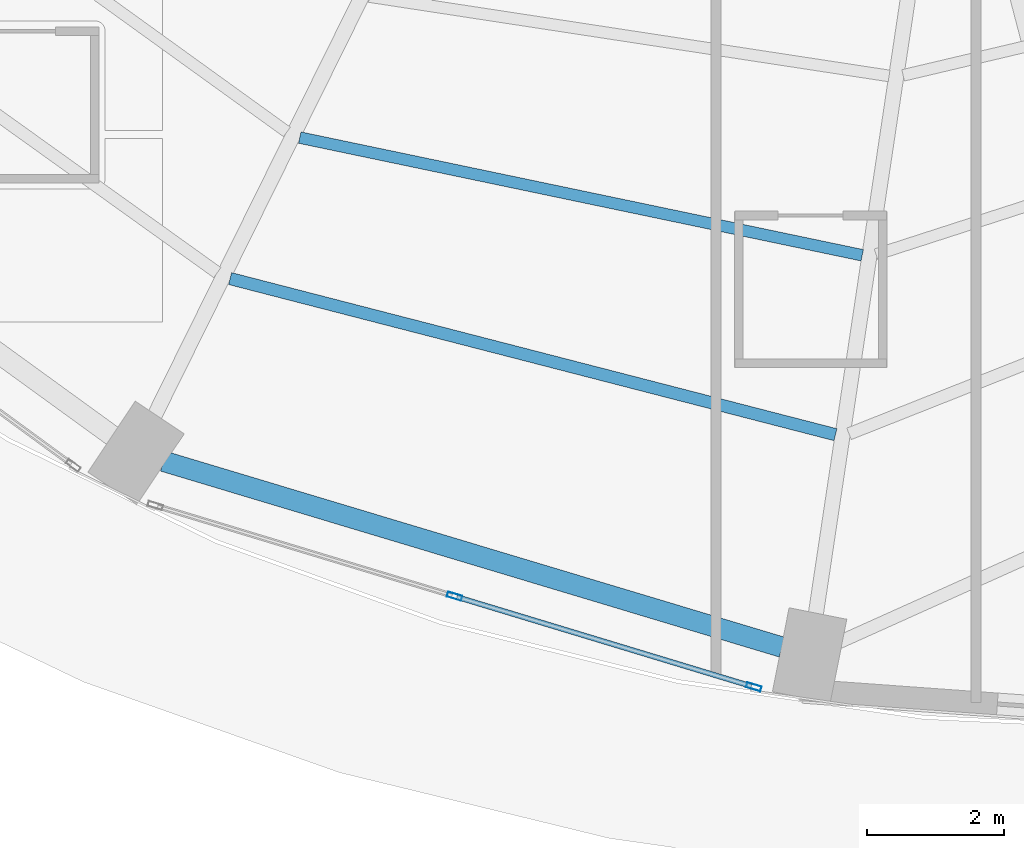
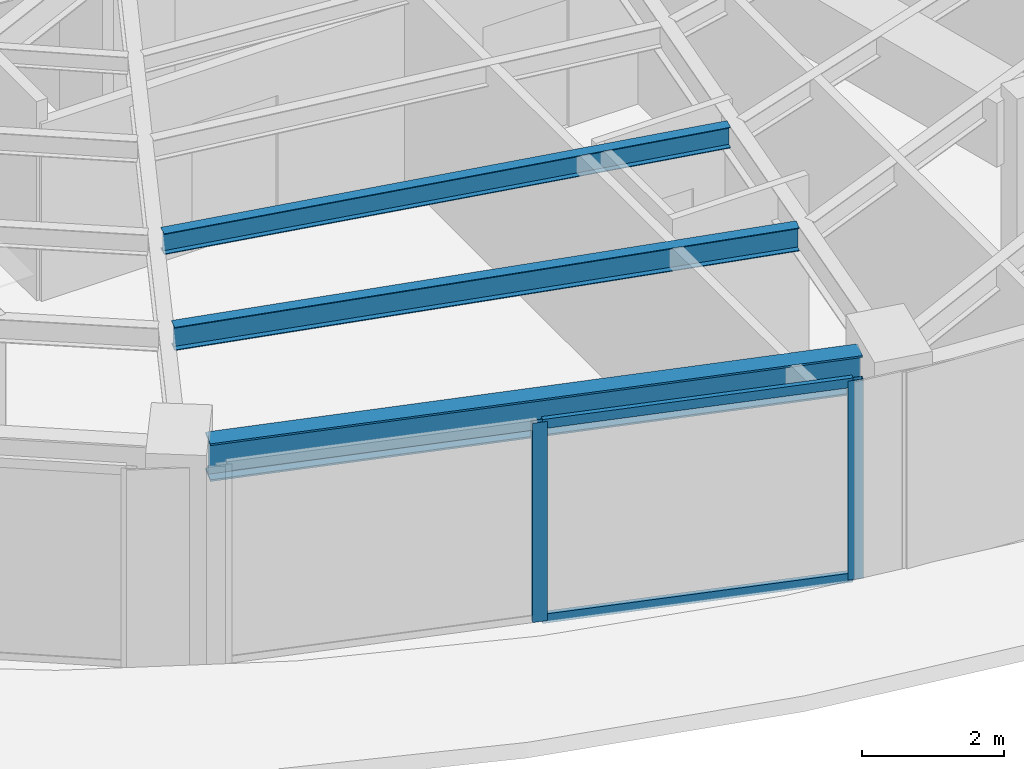
# One storey, part 5 of 25: 4 members, 3 beams, 1 element without a shape of its own.
"""IFC4 building model written with IfcOpenShell, lengths in metres."""

from ifc_helpers import new_model, si_unit, direction, frame, origin, origin_2d, place, context, subcontext, project, spatial, hollow_rectangle, i_section, extrude, material, layer, layer_set, material_profile, profile_set, type_object, element, aggregate, save


model = new_model("IFC4")

# Units and contexts
model_context = context("Model", 3, precision=1e-05, world=origin(), true_north=direction((0.0, 1.0)))
body_context = subcontext(model_context, "Body", "Model", "MODEL_VIEW")
ifc_project = project(units=[si_unit("LENGTHUNIT", "METRE"), si_unit("AREAUNIT", "SQUARE_METRE"), si_unit("VOLUMEUNIT", "CUBIC_METRE"), si_unit("PLANEANGLEUNIT", "RADIAN"), si_unit("MASSUNIT", "GRAM", prefix="KILO")], contexts=[model_context])

# Site, building, storey
site_placement = place(None, origin())
site = spatial("IfcSite", under=ifc_project, at=site_placement, CompositionType="ELEMENT")
building_placement = place(site_placement, origin())
building = spatial("IfcBuilding", under=site, at=building_placement, Name="Lazwardi Medical Tower", CompositionType="ELEMENT")
storey_placement = place(building_placement, frame((0.0, 0.0, 25.199951171875)))
storey = spatial("IfcBuildingStorey", under=building, at=storey_placement, Name="L05", CompositionType="ELEMENT", Elevation=25.199951171875)

# Beams
ifc_material_1 = material(Name="Steel S355", Category="steel")
ifc_material_profile_1 = material_profile(ifc_material_1, i_section(OverallWidth=0.300048828125, OverallDepth=0.64990234375, WebThickness=0.01611328125, FlangeThickness=0.031005859375, at=origin_2d()), Name="HEB 650")
ifc_profile_set_1 = profile_set([ifc_material_profile_1], Name="Steel S355")
beam_type_1 = type_object("IfcBeamType", Name="BM-RB-Z1", PredefinedType="BEAM", material=ifc_profile_set_1)
beam_1_placement = place(storey_placement, frame((21.22119140625, 8.9951171875, 3.10302734375), z_axis=(0.957695289269, -0.287784177662, 0.0), x_axis=(0.287784177662, 0.957695289269, 0.0)))
element("IfcBeam", 1, at=beam_1_placement, inside=storey, type_object=beam_type_1, Name="Ring beam RB-02 B15 L05", PredefinedType="BEAM", context=body_context, shape_type="SweptSolid", body=[
    extrude(i_section(OverallWidth=0.300048828125, OverallDepth=0.64990234375, WebThickness=0.01611328125, FlangeThickness=0.031005859375, at=origin_2d()), origin(), (0.0, 0.0, 1.0), 9.445556640625),
])
ifc_material_profile_2 = material_profile(ifc_material_1, i_section(OverallWidth=0.179931640625, OverallDepth=0.39990234375, WebThickness=0.008544921875, FlangeThickness=0.013427734375, at=origin_2d()), Name="IPE 400")
ifc_profile_set_2 = profile_set([ifc_material_profile_2], Name="Steel S355")
beam_type_2 = type_object("IfcBeamType", Name="BM-SJ-01", PredefinedType="JOIST", material=ifc_profile_set_2)
beam_2_placement = place(storey_placement, frame((22.195068359375, 11.666748046875, 3.22802734375), z_axis=(0.968316918308, -0.249724539682, 0.0), x_axis=(0.249724539682, 0.968316918308, 0.0)))
element("IfcBeam", 2, at=beam_2_placement, inside=storey, type_object=beam_type_2, Name="Secondary joist SJ-01 R1 B15 L05", PredefinedType="JOIST", context=body_context, shape_type="SweptSolid", body=[
    extrude(i_section(OverallWidth=0.179931640625, OverallDepth=0.39990234375, WebThickness=0.008544921875, FlangeThickness=0.013427734375, at=origin_2d()), origin(), (0.0, 0.0, 1.0), 9.140869140625),
])
ifc_material_profile_3 = material_profile(ifc_material_1, i_section(OverallWidth=0.169921875, OverallDepth=0.360107421875, WebThickness=0.008056640625, FlangeThickness=0.0126953125, at=origin_2d()), Name="IPE 360")
ifc_profile_set_3 = profile_set([ifc_material_profile_3], Name="Steel S355")
beam_type_3 = type_object("IfcBeamType", Name="BM-SJ-02", PredefinedType="JOIST", material=ifc_profile_set_3)
beam_3_placement = place(storey_placement, frame((23.213623046875, 13.728271484375, 3.248046875), z_axis=(0.978809182847, -0.204774470026, 0.0), x_axis=(0.204774470026, 0.978809182847, 0.0)))
element("IfcBeam", 3, at=beam_3_placement, inside=storey, type_object=beam_type_3, Name="Secondary joist SJ-02 R2 B15 L05", PredefinedType="JOIST", context=body_context, shape_type="SweptSolid", body=[
    extrude(i_section(OverallWidth=0.169921875, OverallDepth=0.360107421875, WebThickness=0.008056640625, FlangeThickness=0.0126953125, at=origin_2d()), origin(), (0.0, 0.0, 1.0), 8.40283203125),
])

# Curtain wall, members
ifc_material_2 = material(Name="Anodised bronze aluminium and solar control glazing", Category="aluminium")
ifc_layer = layer(ifc_material_2, 0.199951171875)
ifc_layer_set = layer_set([ifc_layer], Name="Anodised bronze aluminium and solar control glazing")
curtain_wall_type = type_object("IfcCurtainWallType", Name="CW-SYS-02", PredefinedType="NOTDEFINED", material=ifc_layer_set)
curtain_wall_placement = place(storey_placement, origin())
curtain_wall = element("IfcCurtainWall", 4, at=curtain_wall_placement, inside=storey, type_object=curtain_wall_type, Name="L05 Unitised bronze curtain wall CW-02", PredefinedType="NOTDEFINED")
ifc_material_3 = material(Name="Anodised bronze aluminium", Category="aluminium")
ifc_material_profile_4 = material_profile(ifc_material_3, hollow_rectangle(XDim=0.074951171875, YDim=0.219970703125, WallThickness=0.00390625, at=origin_2d()), Name="ALU-MULLION 220x75x4")
ifc_profile_set_4 = profile_set([ifc_material_profile_4], Name="Anodised bronze aluminium")
member_type_1 = type_object("IfcMemberType", Name="CW-MUL-01", PredefinedType="MULLION", material=ifc_profile_set_4)
member_1_placement = place(storey_placement, frame((25.476806640625, 7.021484375, 0.0), z_axis=(0.0, 0.0, 1.0), x_axis=(0.2898956909, 0.957058247129, 0.0)))
member_1 = element("IfcMember", 5, at=member_1_placement, type_object=member_type_1, Name="CW-02 mullion 2", PredefinedType="MULLION", context=body_context, shape_type="SweptSolid", body=[
    extrude(hollow_rectangle(XDim=0.074951171875, YDim=0.219970703125, WallThickness=0.00390625, at=origin_2d()), origin(), (0.0, 0.0, 1.0), 3.427978515625),
])
member_2_placement = place(storey_placement, frame((29.85205078125, 5.6962890625, 0.0), z_axis=(0.0, 0.0, 1.0), x_axis=(0.2898956909, 0.957058247129, 0.0)))
member_2 = element("IfcMember", 6, at=member_2_placement, type_object=member_type_1, Name="CW-02 mullion 3", PredefinedType="MULLION", context=body_context, shape_type="SweptSolid", body=[
    extrude(hollow_rectangle(XDim=0.074951171875, YDim=0.219970703125, WallThickness=0.00390625, at=origin_2d()), origin(), (0.0, 0.0, 1.0), 3.427978515625),
])
ifc_material_profile_5 = material_profile(ifc_material_3, hollow_rectangle(XDim=0.074951171875, YDim=0.159912109375, WallThickness=0.00390625, at=origin_2d()), Name="ALU-TRANSOM 160x75x4")
ifc_profile_set_5 = profile_set([ifc_material_profile_5], Name="Anodised bronze aluminium")
member_type_2 = type_object("IfcMemberType", Name="CW-TRN-01", PredefinedType="USERDEFINED", material=ifc_profile_set_5)
member_3_placement = place(storey_placement, frame((25.5126953125, 7.0107421875, 0.03759765625), z_axis=(0.957047233423, -0.28993204893, 0.0), x_axis=(0.28993204893, 0.957047233423, 0.0)))
member_3 = element("IfcMember", 7, at=member_3_placement, type_object=member_type_2, Name="CW-02 transom 2.1", ObjectType="TRANSOM", PredefinedType="USERDEFINED", context=body_context, shape_type="SweptSolid", body=[
    extrude(hollow_rectangle(XDim=0.074951171875, YDim=0.159912109375, WallThickness=0.00390625, at=origin_2d()), origin(), (0.0, 0.0, 1.0), 4.49658203125),
])
member_4_placement = place(storey_placement, frame((25.5126953125, 7.0107421875, 3.390625), z_axis=(0.957047233423, -0.28993204893, 0.0), x_axis=(0.28993204893, 0.957047233423, 0.0)))
member_4 = element("IfcMember", 8, at=member_4_placement, type_object=member_type_2, Name="CW-02 transom 2.2", ObjectType="TRANSOM", PredefinedType="USERDEFINED", context=body_context, shape_type="SweptSolid", body=[
    extrude(hollow_rectangle(XDim=0.074951171875, YDim=0.159912109375, WallThickness=0.00390625, at=origin_2d()), origin(), (0.0, 0.0, 1.0), 4.49658203125),
])
aggregate(curtain_wall, [member_1, member_2, member_3, member_4])

save(model, "model.ifc")
